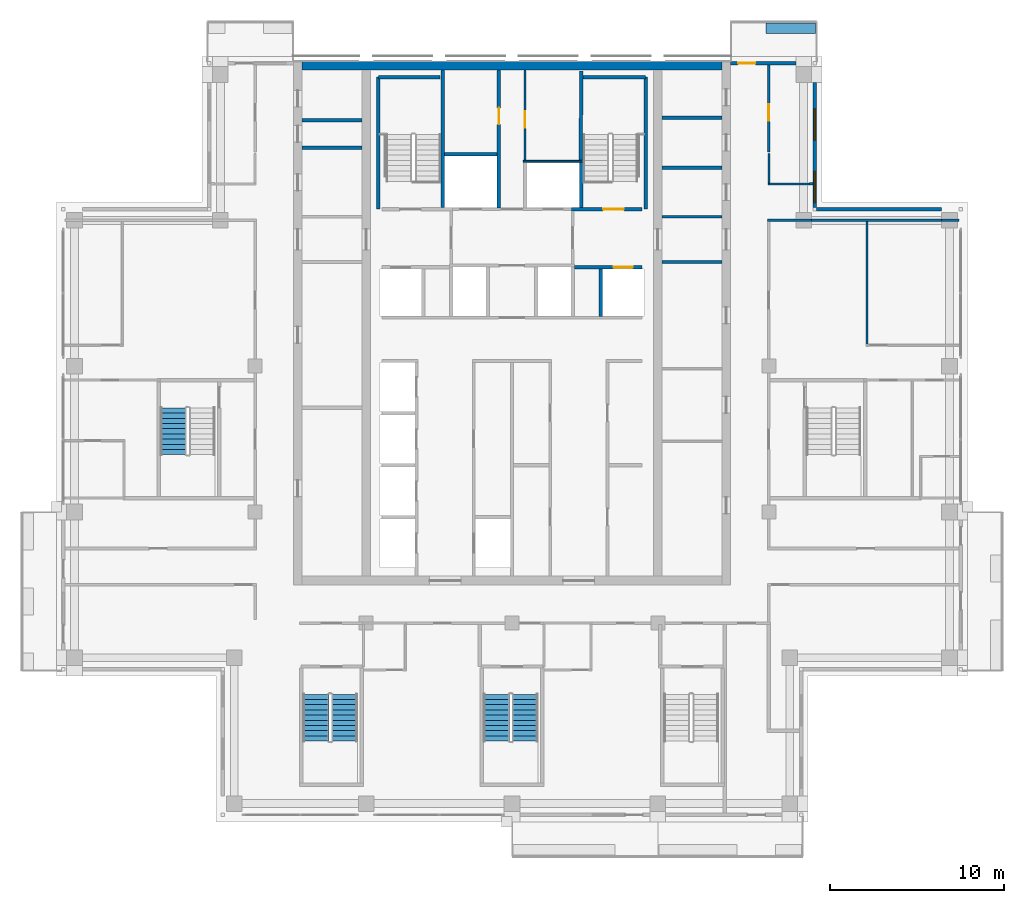
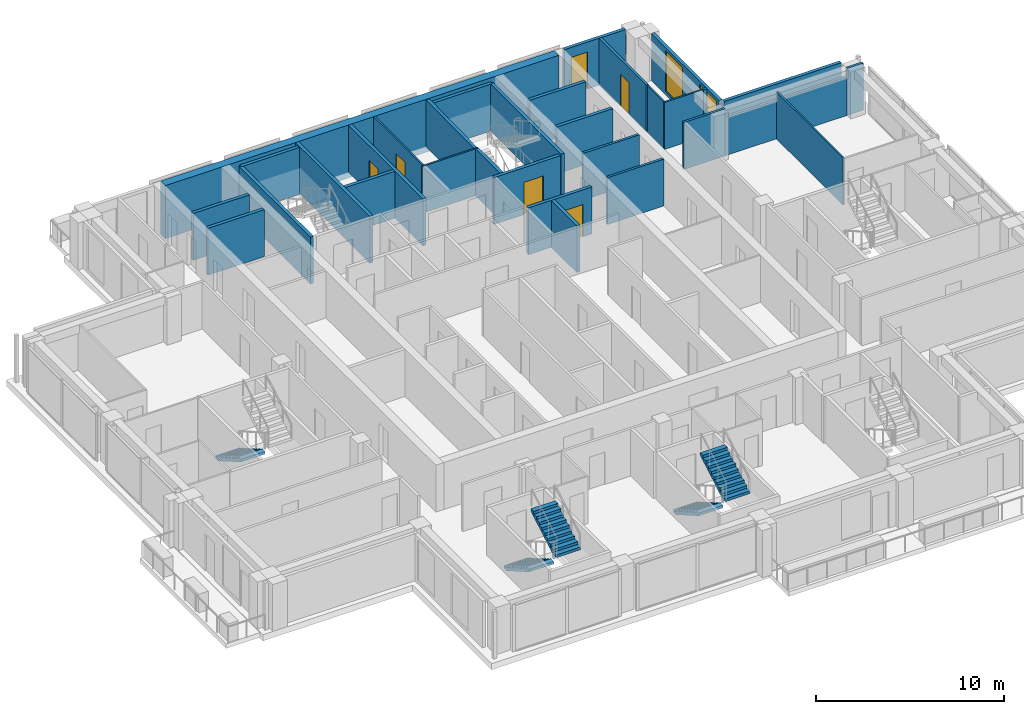
# One storey, part 13 of 17: 33 walls, 6 doors, 5 stair flights, 2 windows, 8 openings, 3 elements without a shape of their own.
"""IFC4 building model written with IfcOpenShell, lengths in metres."""

from ifc_helpers import new_model, si_unit, direction, frame, frame_2d, origin, place, context, subcontext, project, spatial, polyline, rectangle, outline, extrude, material, layer, layer_set, type_object, element, fill, aggregate, save


model = new_model("IFC4")

# Units and contexts
model_context = context("Model", 3, precision=1e-05, world=origin(), true_north=direction((0.0, 1.0)))
body_context = subcontext(model_context, "Body", "Model", "MODEL_VIEW")
ifc_project = project(units=[si_unit("LENGTHUNIT", "METRE"), si_unit("AREAUNIT", "SQUARE_METRE"), si_unit("VOLUMEUNIT", "CUBIC_METRE"), si_unit("PLANEANGLEUNIT", "RADIAN"), si_unit("MASSUNIT", "GRAM", prefix="KILO")], contexts=[model_context])

# Site, building, storey
site_placement = place(None, origin())
site = spatial("IfcSite", under=ifc_project, at=site_placement, CompositionType="ELEMENT")
building_placement = place(site_placement, origin())
building = spatial("IfcBuilding", under=site, at=building_placement, Name="Vermilion Ogive Tower", CompositionType="ELEMENT")
storey_placement = place(building_placement, frame((0.0, 0.0, 257.949951171875)))
storey = spatial("IfcBuildingStorey", under=building, at=storey_placement, Name="L68", CompositionType="ELEMENT", Elevation=257.949951171875)

# Walls
ifc_material_1 = material(Name="Concrete B60", Category="concrete")
ifc_layer_1 = layer(ifc_material_1, 0.5)
ifc_layer_set_1 = layer_set([ifc_layer_1], Name="Core wall 500 B60")
wall_type_1 = type_object("IfcWallType", Name="Core wall 500 B60", PredefinedType="SHEAR", material=ifc_layer_set_1)
wall_1_placement = place(storey_placement, frame((-12.10009765625, 21.5, -0.39990234375), z_axis=(0.0, 0.0, 1.0), x_axis=(1.0, 0.0, 0.0)))
element("IfcWall", 1, at=wall_1_placement, inside=storey, type_object=wall_type_1, Name="L68-CORE-N", PredefinedType="SHEAR", context=body_context, shape_type="SweptSolid", body=[
    extrude(rectangle(XDim=24.2001953125, YDim=0.5, at=frame_2d((12.10009765625, 0.0))), origin(), (0.0, 0.0, 1.0), 3.449951171875),
])
ifc_material_2 = material(Name="Gypsum board partition on steel studs", Category="steel")
ifc_layer_2 = layer(ifc_material_2, 0.10009765625)
ifc_layer_set_2 = layer_set([ifc_layer_2], Name="Partition 100 bath")
wall_type_2 = type_object("IfcWallType", Name="Partition 100 bath", PredefinedType="PARTITIONING", material=ifc_layer_set_2)
wall_2_placement = place(storey_placement, frame((14.75, 14.699951171875, 0.0), z_axis=(0.0, 0.0, 1.0), x_axis=(1.0, 0.0, 0.0)))
element("IfcWall", 2, at=wall_2_placement, inside=storey, type_object=wall_type_2, Name="L68-W-W034", PredefinedType="PARTITIONING", context=body_context, shape_type="SweptSolid", body=[
    extrude(rectangle(XDim=2.5, YDim=0.10009765625, at=frame_2d((1.25, 0.0))), origin(), (0.0, 0.0, 1.0), 3.050048828125),
])
wall_3_placement = place(storey_placement, frame((14.800048828125, 14.75, 0.0), z_axis=(0.0, 0.0, 1.0), x_axis=(0.0, 1.0, 0.0)))
element("IfcWall", 3, at=wall_3_placement, inside=storey, type_object=wall_type_2, Name="L68-W-W060", PredefinedType="PARTITIONING", context=body_context, shape_type="SweptSolid", body=[
    extrude(rectangle(XDim=1.699951171875, YDim=0.10009765625, at=frame_2d((0.85009765625, 0.0))), origin(), (0.0, 0.0, 1.0), 3.050048828125),
])
wall_4_placement = place(storey_placement, frame((0.64990234375, 16.0, 0.0), z_axis=(0.0, 0.0, 1.0), x_axis=(1.0, 0.0, 0.0)))
element("IfcWall", 4, at=wall_4_placement, inside=storey, type_object=wall_type_2, Name="L68-CK-W-W017", PredefinedType="PARTITIONING", context=body_context, shape_type="SweptSolid", body=[
    extrude(rectangle(XDim=3.4501953125, YDim=0.10009765625, at=frame_2d((1.72509765625, 0.0))), origin(), (0.0, 0.0, 1.0), 3.050048828125),
])

# Wall, opening, door
wall_5_placement = place(storey_placement, frame((0.75, 16.050048828125, 0.0), z_axis=(0.0, 0.0, 1.0), x_axis=(0.0, 1.0, 0.0)))
wall_5 = element("IfcWall", 5, at=wall_5_placement, inside=storey, type_object=wall_type_2, Name="L68-CK-W-W029", PredefinedType="PARTITIONING", context=body_context, shape_type="SweptSolid", body=[
    extrude(rectangle(XDim=5.198974609375, YDim=0.10009765625, at=frame_2d((2.599609375, 0.0))), origin(), (0.0, 0.0, 1.0), 3.050048828125),
])
opening_1_placement = place(wall_5_placement, frame((1.875, 0.0, 0.0)))
opening_1 = element("IfcOpeningElement", 6, at=opening_1_placement, cuts=wall_5, Name="Opening DAA644", PredefinedType="OPENING", context=body_context, shape_type="SweptSolid", body=[
    extrude(rectangle(XDim=0.949951171875, YDim=2.10009765625, at=frame_2d((0.47509765625, 1.050048828125))), frame((0.0, 0.06005859375, 0.0), z_axis=(0.0, -1.0, 0.0), x_axis=(1.0, 0.0, 0.0)), (0.0, 0.0, 1.0), 0.1201171875),
])
ifc_material_3 = material(Name="Timber door leaf", Category="wood")
door_type_1 = type_object("IfcDoorType", Name="Service door 950 x 2100 FD60", OperationType="SINGLE_SWING_LEFT", PredefinedType="DOOR", material=ifc_material_3)
door_1_placement = place(opening_1_placement, origin())
door_1 = element("IfcDoor", 7, at=door_1_placement, inside=storey, type_object=door_type_1, Name="L68-CK-D-D021", OperationType="SINGLE_SWING_LEFT", OverallHeight=2.10009765625, OverallWidth=0.949951171875, PredefinedType="DOOR", context=body_context, shape_type="SweptSolid", body=[
    extrude(rectangle(XDim=0.949951171875, YDim=2.10009765625, at=frame_2d((0.47509765625, 1.050048828125))), frame((0.0, 0.02490234375, 0.0), z_axis=(0.0, -1.0, 0.0), x_axis=(1.0, 0.0, 0.0)), (0.0, 0.0, 1.0), 0.050048828125),
])
fill(opening_1, door_1)

# Walls
ifc_material_4 = material(Name="Gypsum board partition on steel studs", Category="steel")
ifc_layer_3 = layer(ifc_material_4, 0.10009765625)
ifc_layer_set_3 = layer_set([ifc_layer_3], Name="Partition 100 inner")
wall_type_3 = type_object("IfcWallType", Name="Partition 100 inner", PredefinedType="PARTITIONING", material=ifc_layer_set_3)
wall_6_placement = place(storey_placement, frame((20.449951171875, 5.449951171875, 0.0), z_axis=(0.0, 0.0, 1.0), x_axis=(0.0, 1.0, 0.0)))
element("IfcWall", 8, at=wall_6_placement, inside=storey, type_object=wall_type_3, Name="L68-W-W065", PredefinedType="PARTITIONING", context=body_context, shape_type="SweptSolid", body=[
    extrude(rectangle(XDim=7.074951171875, YDim=0.10009765625, at=frame_2d((3.53759765625, 0.0))), origin(), (0.0, 0.0, 1.0), 3.050048828125),
])
ifc_material_5 = material(Name="Gypsum board partition on steel studs", Category="steel")
ifc_layer_4 = layer(ifc_material_5, 0.14990234375)
ifc_layer_set_4 = layer_set([ifc_layer_4], Name="Partition 150 corridor")
wall_type_4 = type_object("IfcWallType", Name="Partition 150 corridor", PredefinedType="PARTITIONING", material=ifc_layer_set_4)
wall_7_placement = place(storey_placement, frame((14.72509765625, 12.60009765625, 0.0), z_axis=(0.0, 0.0, 1.0), x_axis=(1.0, 0.0, 0.0)))
element("IfcWall", 9, at=wall_7_placement, inside=storey, type_object=wall_type_4, Name="L68-W-W031", PredefinedType="PARTITIONING", context=body_context, shape_type="SweptSolid", body=[
    extrude(rectangle(XDim=2.52490234375, YDim=0.14990234375, at=frame_2d((1.262451171875, 0.0))), origin(), (0.0, 0.0, 1.0), 3.050048828125),
])
wall_8_placement = place(storey_placement, frame((17.14990234375, 14.699951171875, 0.0), z_axis=(0.0, 0.0, 1.0), x_axis=(1.0, 0.0, 0.0)))
element("IfcWall", 10, at=wall_8_placement, inside=storey, type_object=wall_type_4, Name="L68-W-W035", PredefinedType="PARTITIONING", context=body_context, shape_type="SweptSolid", body=[
    extrude(rectangle(XDim=0.2001953125, YDim=0.14990234375, at=frame_2d((0.10009765625, 0.0))), origin(), (0.0, 0.0, 1.0), 3.050048828125),
])

# Wall, opening, door
wall_9_placement = place(storey_placement, frame((14.800048828125, 16.550048828125, 0.0), z_axis=(0.0, 0.0, 1.0), x_axis=(0.0, 1.0, 0.0)))
wall_9 = element("IfcWall", 11, at=wall_9_placement, inside=storey, type_object=wall_type_4, Name="L68-W-W061", PredefinedType="PARTITIONING", context=body_context, shape_type="SweptSolid", body=[
    extrude(rectangle(XDim=5.0, YDim=0.14990234375, at=frame_2d((2.5, 0.0))), origin(), (0.0, 0.0, 1.0), 3.050048828125),
])
opening_2_placement = place(wall_9_placement, frame((1.800048828125, 0.0, 0.0)))
opening_2 = element("IfcOpeningElement", 12, at=opening_2_placement, cuts=wall_9, Name="Opening D5G5019", PredefinedType="OPENING", context=body_context, shape_type="SweptSolid", body=[
    extrude(rectangle(XDim=0.949951171875, YDim=2.10009765625, at=frame_2d((0.47509765625, 1.050048828125))), frame((0.0, 0.0849609375, 0.0), z_axis=(0.0, -1.0, 0.0), x_axis=(1.0, 0.0, 0.0)), (0.0, 0.0, 1.0), 0.169921875),
])
ifc_material_6 = material(Name="Timber door leaf", Category="wood")
door_type_2 = type_object("IfcDoorType", Name="Unit door 950 x 2100 FD30S", OperationType="SINGLE_SWING_LEFT", PredefinedType="DOOR", material=ifc_material_6)
door_2_placement = place(opening_2_placement, origin())
door_2 = element("IfcDoor", 13, at=door_2_placement, inside=storey, type_object=door_type_2, Name="L68-D-D019", OperationType="SINGLE_SWING_LEFT", OverallHeight=2.10009765625, OverallWidth=0.949951171875, PredefinedType="DOOR", context=body_context, shape_type="SweptSolid", body=[
    extrude(rectangle(XDim=0.949951171875, YDim=2.10009765625, at=frame_2d((0.47509765625, 1.050048828125))), frame((0.0, 0.02490234375, 0.0), z_axis=(0.0, -1.0, 0.0), x_axis=(1.0, 0.0, 0.0)), (0.0, 0.0, 1.0), 0.050048828125),
])
fill(opening_2, door_2)

# Walls
for number, where, z_axis, x_axis, name in (
    (14, (8.65087890625, 10.199951171875, 0.0), (0.0, 0.0, 1.0), (1.0, 0.0, 0.0), "L68-CKE-W-W003"),
    (15, (8.65087890625, 12.800048828125, 0.0), (0.0, 0.0, 1.0), (1.0, 0.0, 0.0), "L68-CKE-W-W004"),
):
    element("IfcWall", number, at=place(storey_placement, frame(where, z_axis=z_axis, x_axis=x_axis)), inside=storey, type_object=wall_type_4, Name=name, PredefinedType="PARTITIONING", context=body_context, shape_type="SweptSolid", body=[
        extrude(rectangle(XDim=3.4482421875, YDim=0.14990234375, at=frame_2d((1.72412109375, 0.0))), origin(), (0.0, 0.0, 1.0), 3.050048828125),
    ])
wall_10_placement = place(storey_placement, frame((17.25, 12.60009765625, 0.0), z_axis=(0.0, 0.0, 1.0), x_axis=(1.0, 0.0, 0.0)))
element("IfcWall", 16, at=wall_10_placement, inside=storey, type_object=wall_type_4, Name="L68-W-W031-h1", PredefinedType="PARTITIONING", context=body_context, shape_type="SweptSolid", body=[
    extrude(rectangle(XDim=7.5, YDim=0.14990234375, at=frame_2d((3.75, 0.0))), origin(), (0.0, 0.0, 1.0), 2.5),
])
wall_11_placement = place(storey_placement, frame((24.75, 12.60009765625, 0.0), z_axis=(0.0, 0.0, 1.0), x_axis=(1.0, 0.0, 0.0)))
element("IfcWall", 17, at=wall_11_placement, inside=storey, type_object=wall_type_4, Name="L68-W-W031-h2", PredefinedType="PARTITIONING", context=body_context, shape_type="SweptSolid", body=[
    extrude(rectangle(XDim=1.0, YDim=0.14990234375, at=frame_2d((0.5, 0.0))), origin(), (0.0, 0.0, 1.0), 3.050048828125),
])

# Wall, opening, door
ifc_material_7 = material(Name="Gypsum board partition on steel studs", Category="steel")
ifc_layer_5 = layer(ifc_material_7, 0.199951171875)
ifc_layer_set_5 = layer_set([ifc_layer_5], Name="Partition 200 party")
wall_type_5 = type_object("IfcWallType", Name="Partition 200 party", PredefinedType="PARTITIONING", material=ifc_layer_set_5)
wall_12_placement = place(storey_placement, frame((3.60009765625, 9.89990234375, 0.0), z_axis=(0.0, 0.0, 1.0), x_axis=(1.0, 0.0, 0.0)))
wall_12 = element("IfcWall", 18, at=wall_12_placement, inside=storey, type_object=wall_type_5, Name="L68-CK-W-W012", PredefinedType="PARTITIONING", context=body_context, shape_type="SweptSolid", body=[
    extrude(rectangle(XDim=3.89990234375, YDim=0.199951171875, at=frame_2d((1.949951171875, 0.0))), origin(), (0.0, 0.0, 1.0), 3.050048828125),
])
opening_3_placement = place(wall_12_placement, frame((2.25, 0.0, 0.0)))
opening_3 = element("IfcOpeningElement", 19, at=opening_3_placement, cuts=wall_12, Name="Opening DAA653", PredefinedType="OPENING", context=body_context, shape_type="SweptSolid", body=[
    extrude(rectangle(XDim=1.10009765625, YDim=2.10009765625, at=frame_2d((0.550048828125, 1.050048828125))), frame((0.0, 0.10986328125, 0.0), z_axis=(0.0, -1.0, 0.0), x_axis=(1.0, 0.0, 0.0)), (0.0, 0.0, 1.0), 0.219970703125),
])
ifc_material_8 = material(Name="Stainless steel", Category="steel")
door_type_3 = type_object("IfcDoorType", Name="Lift landing door 1100 x 2100", OperationType="SLIDING_TO_LEFT", PredefinedType="DOOR", material=ifc_material_8)
door_3_placement = place(opening_3_placement, origin())
door_3 = element("IfcDoor", 20, at=door_3_placement, inside=storey, type_object=door_type_3, Name="L68-CK-D-D014", OperationType="SLIDING_TO_LEFT", OverallHeight=2.10009765625, OverallWidth=1.10009765625, PredefinedType="DOOR", context=body_context, shape_type="SweptSolid", body=[
    extrude(rectangle(XDim=1.10009765625, YDim=2.10009765625, at=frame_2d((0.550048828125, 1.050048828125))), frame((0.0, 0.02490234375, 0.0), z_axis=(0.0, -1.0, 0.0), x_axis=(1.0, 0.0, 0.0)), (0.0, 0.0, 1.0), 0.050048828125),
])
fill(opening_3, door_3)

# Wall
wall_13_placement = place(storey_placement, frame((-3.89990234375, 16.39990234375, 0.0), z_axis=(0.0, 0.0, 1.0), x_axis=(1.0, 0.0, 0.0)))
element("IfcWall", 21, at=wall_13_placement, inside=storey, type_object=wall_type_5, Name="L68-CK-W-W018", PredefinedType="PARTITIONING", context=body_context, shape_type="SweptSolid", body=[
    extrude(rectangle(XDim=3.0498046875, YDim=0.199951171875, at=frame_2d((1.52490234375, 0.0))), origin(), (0.0, 0.0, 1.0), 3.050048828125),
])

# Wall, opening, door
wall_14_placement = place(storey_placement, frame((-0.75, 13.324951171875, 0.0), z_axis=(0.0, 0.0, 1.0), x_axis=(0.0, 1.0, 0.0)))
wall_14 = element("IfcWall", 22, at=wall_14_placement, inside=storey, type_object=wall_type_5, Name="L68-CK-W-W026", PredefinedType="PARTITIONING", context=body_context, shape_type="SweptSolid", body=[
    extrude(rectangle(XDim=7.924072265625, YDim=0.199951171875, at=frame_2d((3.9619140625, 0.0))), origin(), (0.0, 0.0, 1.0), 3.050048828125),
])
opening_4_placement = place(wall_14_placement, frame((4.800048828125, 0.0, 0.0)))
opening_4 = element("IfcOpeningElement", 23, at=opening_4_placement, cuts=wall_14, Name="Opening DAA643", PredefinedType="OPENING", context=body_context, shape_type="SweptSolid", body=[
    extrude(rectangle(XDim=0.949951171875, YDim=2.10009765625, at=frame_2d((0.47509765625, 1.050048828125))), frame((0.0, 0.10986328125, 0.0), z_axis=(0.0, -1.0, 0.0), x_axis=(1.0, 0.0, 0.0)), (0.0, 0.0, 1.0), 0.219970703125),
])
door_4_placement = place(opening_4_placement, origin())
door_4 = element("IfcDoor", 24, at=door_4_placement, inside=storey, type_object=door_type_1, Name="L68-CK-D-D020", OperationType="SINGLE_SWING_RIGHT", OverallHeight=2.10009765625, OverallWidth=0.949951171875, PredefinedType="DOOR", context=body_context, shape_type="SweptSolid", body=[
    extrude(rectangle(XDim=0.949951171875, YDim=2.10009765625, at=frame_2d((0.47509765625, 1.050048828125))), frame((0.0, 0.02490234375, 0.0), z_axis=(0.0, -1.0, 0.0), x_axis=(1.0, 0.0, 0.0)), (0.0, 0.0, 1.0), 0.050048828125),
])
fill(opening_4, door_4)

# Walls
wall_15_placement = place(storey_placement, frame((5.10009765625, 7.074951171875, 0.0), z_axis=(0.0, 0.0, 1.0), x_axis=(0.0, 1.0, 0.0)))
element("IfcWall", 25, at=wall_15_placement, inside=storey, type_object=wall_type_5, Name="L68-CK-W-W036", PredefinedType="PARTITIONING", context=body_context, shape_type="SweptSolid", body=[
    extrude(rectangle(XDim=2.72509765625, YDim=0.199951171875, at=frame_2d((1.362548828125, 0.0))), origin(), (0.0, 0.0, 1.0), 3.050048828125),
])
for number, where, z_axis, x_axis, name in (
    (26, (-12.09912109375, 16.7880859375, 0.0), (0.0, 0.0, 1.0), (1.0, 0.0, 0.0), "L68-CKW-W-W004"),
    (27, (-12.09912109375, 18.373046875, 0.0), (0.0, 0.0, 1.0), (1.0, 0.0, 0.0), "L68-CKW-W-W005"),
    (28, (8.65087890625, 15.636962890625, 0.0), (0.0, 0.0, 1.0), (1.0, 0.0, 0.0), "L68-CKE-W-W005"),
    (29, (8.65087890625, 18.509033203125, 0.0), (0.0, 0.0, 1.0), (1.0, 0.0, 0.0), "L68-CKE-W-W006"),
):
    element("IfcWall", number, at=place(storey_placement, frame(where, z_axis=z_axis, x_axis=x_axis)), inside=storey, type_object=wall_type_5, Name=name, PredefinedType="PARTITIONING", context=body_context, shape_type="SweptSolid", body=[
        extrude(rectangle(XDim=3.4482421875, YDim=0.199951171875, at=frame_2d((1.72412109375, 0.0))), origin(), (0.0, 0.0, 1.0), 3.050048828125),
    ])

# Wall, opening, door
ifc_material_9 = material(Name="Concrete B60", Category="concrete")
ifc_layer_6 = layer(ifc_material_9, 0.199951171875)
ifc_layer_set_6 = layer_set([ifc_layer_6], Name="Stair shaft wall 200 Concrete B60")
wall_type_6 = type_object("IfcWallType", Name="Stair shaft wall 200 Concrete B60", PredefinedType="SOLIDWALL", material=ifc_layer_set_6)
wall_16_placement = place(storey_placement, frame((3.425048828125, 13.25, 0.0), z_axis=(0.0, 0.0, 1.0), x_axis=(1.0, 0.0, 0.0)))
wall_16 = element("IfcWall", 30, at=wall_16_placement, inside=storey, type_object=wall_type_6, Name="L68-CK-W-W016", PredefinedType="SOLIDWALL", context=body_context, shape_type="SweptSolid", body=[
    extrude(rectangle(XDim=4.074951171875, YDim=0.199951171875, at=frame_2d((2.03759765625, 0.0))), origin(), (0.0, 0.0, 1.0), 3.050048828125),
])
opening_5_placement = place(wall_16_placement, frame((1.824951171875, 0.0, 0.0)))
opening_5 = element("IfcOpeningElement", 31, at=opening_5_placement, cuts=wall_16, Name="Opening DAA646", PredefinedType="OPENING", context=body_context, shape_type="SweptSolid", body=[
    extrude(rectangle(XDim=1.199951171875, YDim=2.10009765625, at=frame_2d((0.60009765625, 1.050048828125))), frame((0.0, 0.10986328125, 0.0), z_axis=(0.0, -1.0, 0.0), x_axis=(1.0, 0.0, 0.0)), (0.0, 0.0, 1.0), 0.219970703125),
])
ifc_material_10 = material(Name="Timber door leaf", Category="wood")
door_type_4 = type_object("IfcDoorType", Name="Stair door 1200 x 2100 FD60S", OperationType="SINGLE_SWING_LEFT", PredefinedType="DOOR", material=ifc_material_10)
door_5_placement = place(opening_5_placement, origin())
door_5 = element("IfcDoor", 32, at=door_5_placement, inside=storey, type_object=door_type_4, Name="L68-CK-D-D013", OperationType="SINGLE_SWING_RIGHT", OverallHeight=2.10009765625, OverallWidth=1.199951171875, PredefinedType="DOOR", context=body_context, shape_type="SweptSolid", body=[
    extrude(rectangle(XDim=1.199951171875, YDim=2.10009765625, at=frame_2d((0.60009765625, 1.050048828125))), frame((0.0, 0.02490234375, 0.0), z_axis=(0.0, -1.0, 0.0), x_axis=(1.0, 0.0, 0.0)), (0.0, 0.0, 1.0), 0.050048828125),
])
fill(opening_5, door_5)

# Walls
wall_17_placement = place(storey_placement, frame((-4.0, 13.35009765625, 0.0), z_axis=(0.0, 0.0, 1.0), x_axis=(0.0, 1.0, 0.0)))
element("IfcWall", 33, at=wall_17_placement, inside=storey, type_object=wall_type_6, Name="L68-CK-W-W021", PredefinedType="SOLIDWALL", context=body_context, shape_type="SweptSolid", body=[
    extrude(rectangle(XDim=7.89892578125, YDim=0.199951171875, at=frame_2d((3.949462890625, 0.0))), origin(), (0.0, 0.0, 1.0), 3.050048828125),
])
wall_18_placement = place(storey_placement, frame((4.0, 13.35009765625, 0.0), z_axis=(0.0, 0.0, 1.0), x_axis=(0.0, 1.0, 0.0)))
element("IfcWall", 34, at=wall_18_placement, inside=storey, type_object=wall_type_6, Name="L68-CK-W-W034", PredefinedType="SOLIDWALL", context=body_context, shape_type="SweptSolid", body=[
    extrude(rectangle(XDim=2.599853515625, YDim=0.199951171875, at=frame_2d((1.2998046875, 0.0))), origin(), (0.0, 0.0, 1.0), 3.050048828125),
])
wall_19_placement = place(storey_placement, frame((3.949951171875, 16.050048828125, 0.0), z_axis=(0.0, 0.0, 1.0), x_axis=(0.009719787395, 0.999952761751, 0.0)))
element("IfcWall", 35, at=wall_19_placement, inside=storey, type_object=wall_type_6, Name="L68-CK-W-W035", PredefinedType="SOLIDWALL", context=body_context, shape_type="SweptSolid", body=[
    extrude(rectangle(XDim=5.149169921875, YDim=0.199951171875, at=frame_2d((2.57470703125, 0.0))), origin(), (0.0, 0.0, 1.0), 3.050048828125),
])
wall_20_placement = place(storey_placement, frame((-7.699951171875, 13.25, 0.0), z_axis=(0.0, 0.0, 1.0), x_axis=(0.0, 1.0, 0.0)))
element("IfcWall", 36, at=wall_20_placement, inside=storey, type_object=wall_type_6, Name="L68-SW-R015-W1", PredefinedType="SOLIDWALL", context=body_context, shape_type="SweptSolid", body=[
    extrude(rectangle(XDim=7.60009765625, YDim=0.199951171875, at=frame_2d((3.800048828125, 0.0))), origin(), (0.0, 0.0, 1.0), 3.050048828125),
])
wall_21_placement = place(storey_placement, frame((-7.699951171875, 20.85009765625, 0.0), z_axis=(0.0, 0.0, 1.0), x_axis=(1.0, 0.0, 0.0)))
element("IfcWall", 37, at=wall_21_placement, inside=storey, type_object=wall_type_6, Name="L68-SW-R015-N1", PredefinedType="SOLIDWALL", context=body_context, shape_type="SweptSolid", body=[
    extrude(rectangle(XDim=3.550048828125, YDim=0.199951171875, at=frame_2d((1.77490234375, 0.0))), origin(), (0.0, 0.0, 1.0), 3.050048828125),
])
wall_22_placement = place(storey_placement, frame((7.699951171875, 13.25, 0.0), z_axis=(0.0, 0.0, 1.0), x_axis=(0.0, 1.0, 0.0)))
element("IfcWall", 38, at=wall_22_placement, inside=storey, type_object=wall_type_6, Name="L68-SW-R019-E1", PredefinedType="SOLIDWALL", context=body_context, shape_type="SweptSolid", body=[
    extrude(rectangle(XDim=7.60009765625, YDim=0.199951171875, at=frame_2d((3.800048828125, 0.0))), origin(), (0.0, 0.0, 1.0), 3.050048828125),
])
wall_23_placement = place(storey_placement, frame((4.10009765625, 20.85009765625, 0.0), z_axis=(0.0, 0.0, 1.0), x_axis=(1.0, 0.0, 0.0)))
element("IfcWall", 39, at=wall_23_placement, inside=storey, type_object=wall_type_6, Name="L68-SW-R019-N1", PredefinedType="SOLIDWALL", context=body_context, shape_type="SweptSolid", body=[
    extrude(rectangle(XDim=3.599853515625, YDim=0.199951171875, at=frame_2d((1.7998046875, 0.0))), origin(), (0.0, 0.0, 1.0), 3.050048828125),
])
ifc_material_11 = material(Name="Concrete B40", Category="concrete")
ifc_layer_7 = layer(ifc_material_11, 0.60009765625)
ifc_layer_set_7 = layer_set([ifc_layer_7], Name="Structural planter")
wall_type_7 = type_object("IfcWallType", Name="Structural planter", PredefinedType="USERDEFINED", material=ifc_layer_set_7)
wall_24_placement = place(storey_placement, frame((17.489990234375, 23.660888671875, -0.0400390625), z_axis=(0.0, 0.0, 1.0), x_axis=(-1.0, 0.0, 0.0)))
element("IfcWall", 40, at=wall_24_placement, inside=storey, type_object=wall_type_7, Name="Planter N101A1", ObjectType="PLANTER", PredefinedType="USERDEFINED", context=body_context, shape_type="SweptSolid", body=[
    extrude(rectangle(XDim=2.864990234375, YDim=0.60009765625, at=frame_2d((1.4326171875, 0.0))), origin(), (0.0, 0.0, 1.0), 1.2001953125),
])
ifc_material_12 = material(Name="Aluminium window wall framing", Category="aluminium")
ifc_layer_8 = layer(ifc_material_12, 0.199951171875)
ifc_layer_set_8 = layer_set([ifc_layer_8], Name="Window wall")
wall_type_8 = type_object("IfcWallType", Name="Window wall", PredefinedType="STANDARD", material=ifc_layer_set_8)
wall_25_placement = place(storey_placement, frame((24.75, 13.25, 0.0), z_axis=(0.0, 0.0, 1.0), x_axis=(-1.0, 0.0, 0.0)))
element("IfcWall", 41, at=wall_25_placement, inside=storey, type_object=wall_type_8, Name="Window wall X31", PredefinedType="STANDARD", context=body_context, shape_type="SweptSolid", body=[
    extrude(rectangle(XDim=7.199951171875, YDim=0.199951171875, at=frame_2d((3.60009765625, 0.0))), origin(), (0.0, 0.0, 1.0), 3.050048828125),
])

# Wall, openings, windows
wall_26_placement = place(storey_placement, frame((17.449951171875, 13.35009765625, 0.0), z_axis=(0.0, 0.0, 1.0), x_axis=(0.0, 1.0, 0.0)))
wall_26 = element("IfcWall", 42, at=wall_26_placement, inside=storey, type_object=wall_type_8, Name="Window wall X41", PredefinedType="STANDARD", context=body_context, shape_type="SweptSolid", body=[
    extrude(rectangle(XDim=7.199951171875, YDim=0.199951171875, at=frame_2d((3.60009765625, 0.0))), origin(), (0.0, 0.0, 1.0), 3.050048828125),
])
opening_6_placement = place(wall_26_placement, frame((0.27490234375, 0.0, 0.199951171875)))
opening_6 = element("IfcOpeningElement", 43, at=opening_6_placement, cuts=wall_26, Name="Opening W1-X403", PredefinedType="OPENING", context=body_context, shape_type="SweptSolid", body=[
    extrude(rectangle(XDim=1.800048828125, YDim=2.64990234375, at=frame_2d((0.89990234375, 1.324951171875))), frame((0.0, 0.10986328125, 0.0), z_axis=(0.0, -1.0, 0.0), x_axis=(1.0, 0.0, 0.0)), (0.0, 0.0, 1.0), 0.219970703125),
])
opening_7_placement = place(wall_26_placement, frame((3.875, 0.0, 0.199951171875)))
opening_7 = element("IfcOpeningElement", 44, at=opening_7_placement, cuts=wall_26, Name="Opening W1-X404", PredefinedType="OPENING", context=body_context, shape_type="SweptSolid", body=[
    extrude(rectangle(XDim=1.800048828125, YDim=2.64990234375, at=frame_2d((0.89990234375, 1.324951171875))), frame((0.0, 0.10986328125, 0.0), z_axis=(0.0, -1.0, 0.0), x_axis=(1.0, 0.0, 0.0)), (0.0, 0.0, 1.0), 0.219970703125),
])
ifc_material_13 = material(Name="Aluminium framed double glazing", Category="aluminium")
window_type = type_object("IfcWindowType", Name="Guest window W1", PartitioningType="SINGLE_PANEL", PredefinedType="WINDOW", material=ifc_material_13)
window_1_placement = place(opening_6_placement, origin())
window_1 = element("IfcWindow", 45, at=window_1_placement, inside=storey, type_object=window_type, Name="Window X403", OverallHeight=2.64990234375, OverallWidth=1.800048828125, PartitioningType="SINGLE_PANEL", PredefinedType="WINDOW", context=body_context, shape_type="SweptSolid", body=[
    extrude(rectangle(XDim=1.800048828125, YDim=2.64990234375, at=frame_2d((0.89990234375, 1.324951171875))), frame((0.0, 0.030029296875, 0.0), z_axis=(0.0, -1.0, 0.0), x_axis=(1.0, 0.0, 0.0)), (0.0, 0.0, 1.0), 0.06005859375),
])
fill(opening_6, window_1)
window_2_placement = place(opening_7_placement, origin())
window_2 = element("IfcWindow", 46, at=window_2_placement, inside=storey, type_object=window_type, Name="Window X404", OverallHeight=2.64990234375, OverallWidth=1.800048828125, PartitioningType="SINGLE_PANEL", PredefinedType="WINDOW", context=body_context, shape_type="SweptSolid", body=[
    extrude(rectangle(XDim=1.800048828125, YDim=2.64990234375, at=frame_2d((0.89990234375, 1.324951171875))), frame((0.0, 0.030029296875, 0.0), z_axis=(0.0, -1.0, 0.0), x_axis=(1.0, 0.0, 0.0)), (0.0, 0.0, 1.0), 0.06005859375),
])
fill(opening_7, window_2)

# Wall, opening, door
wall_27_placement = place(storey_placement, frame((16.35009765625, 21.64990234375, 0.0), z_axis=(0.0, 0.0, 1.0), x_axis=(-1.0, 0.0, 0.0)))
wall_27 = element("IfcWall", 47, at=wall_27_placement, inside=storey, type_object=wall_type_8, Name="Window wall N11", PredefinedType="STANDARD", context=body_context, shape_type="SweptSolid", body=[
    extrude(rectangle(XDim=3.75, YDim=0.199951171875, at=frame_2d((1.875, 0.0))), origin(), (0.0, 0.0, 1.0), 3.050048828125),
])
opening_8_placement = place(wall_27_placement, frame((2.324951171875, 0.0, 0.0)))
opening_8 = element("IfcOpeningElement", 48, at=opening_8_placement, cuts=wall_27, Name="Opening D1-N103", PredefinedType="OPENING", context=body_context, shape_type="SweptSolid", body=[
    extrude(rectangle(XDim=1.0, YDim=2.39990234375, at=frame_2d((0.5, 1.199951171875))), frame((0.0, 0.10986328125, 0.0), z_axis=(0.0, -1.0, 0.0), x_axis=(1.0, 0.0, 0.0)), (0.0, 0.0, 1.0), 0.219970703125),
])
ifc_material_14 = material(Name="Aluminium framed glazed door", Category="aluminium")
door_type_5 = type_object("IfcDoorType", Name="Balcony door D1", OperationType="SINGLE_SWING_LEFT", PredefinedType="DOOR", material=ifc_material_14)
door_6_placement = place(opening_8_placement, origin())
door_6 = element("IfcDoor", 49, at=door_6_placement, inside=storey, type_object=door_type_5, Name="Balcony door N103", OperationType="SINGLE_SWING_LEFT", OverallHeight=2.39990234375, OverallWidth=1.0, PredefinedType="DOOR", context=body_context, shape_type="SweptSolid", body=[
    extrude(rectangle(XDim=1.0, YDim=2.39990234375, at=frame_2d((0.5, 1.199951171875))), frame((0.0, 0.02490234375, 0.0), z_axis=(0.0, -1.0, 0.0), x_axis=(1.0, 0.0, 0.0)), (0.0, 0.0, 1.0), 0.050048828125),
])
fill(opening_8, door_6)

# Stair, stair flights
ifc_material_15 = material(Name="Concrete B40", Category="concrete")
stair_type = type_object("IfcStairType", Name="Exit stair 1500", PredefinedType="HALF_TURN_STAIR", material=ifc_material_15)
stair_1_placement = place(storey_placement, origin())
stair_1 = element("IfcStair", 50, at=stair_1_placement, inside=storey, type_object=stair_type, Name="L68 Exit Stair ST3", PredefinedType="HALF_TURN_STAIR")
ifc_material_16 = material(Name="Concrete B40", Category="concrete")
stair_flight_type = type_object("IfcStairFlightType", Name="Stair flight 1500", PredefinedType="STRAIGHT", material=ifc_material_16)
stair_flight_1_placement = place(storey_placement, frame((-11.300048828125, -14.699951171875, 0.0), z_axis=(0.0, 0.0, 1.0), x_axis=(0.0, -1.0, 0.0)))
stair_flight_1 = element("IfcStairFlight", 51, at=stair_flight_1_placement, type_object=stair_flight_type, Name="ST3 flight 1", NumberOfRisers=10, NumberOfTreads=9, PredefinedType="STRAIGHT", RiserHeight=0.1725, TreadLength=0.3, context=body_context, shape_type="SweptSolid", body=[
    extrude(outline(polyline([(0.0, 0.0), (0.0, 0.172607421875), (0.300048828125, 0.172607421875), (0.300048828125, 0.344970703125), (0.60009765625, 0.344970703125), (0.60009765625, 0.517578125), (0.89990234375, 0.517578125), (0.89990234375, 0.68994140625), (1.199951171875, 0.68994140625), (1.199951171875, 0.862548828125), (1.5, 0.862548828125), (1.5, 1.034912109375), (1.800048828125, 1.034912109375), (1.800048828125, 1.20751953125), (2.10009765625, 1.20751953125), (2.10009765625, 1.3798828125), (2.39990234375, 1.3798828125), (2.39990234375, 1.552490234375), (2.699951171875, 1.552490234375), (2.699951171875, 1.72509765625), (2.699951171875, 1.379638671875), (0.30078125, 0.0), (0.0, 0.0)])), frame((0.0, 0.75, 0.0), z_axis=(0.0, -1.0, 0.0), x_axis=(1.0, 0.0, 0.0)), (0.0, 0.0, 1.0), 1.5),
])
stair_flight_2_placement = place(storey_placement, frame((-9.64990234375, -17.39990234375, 1.72509765625), z_axis=(0.0, 0.0, 1.0), x_axis=(0.0, 1.0, 0.0)))
stair_flight_2 = element("IfcStairFlight", 52, at=stair_flight_2_placement, type_object=stair_flight_type, Name="ST3 flight 2", NumberOfRisers=10, NumberOfTreads=9, PredefinedType="STRAIGHT", RiserHeight=0.1725, TreadLength=0.3, context=body_context, shape_type="SweptSolid", body=[
    extrude(outline(polyline([(0.0, 0.0), (0.0, 0.172607421875), (0.300048828125, 0.172607421875), (0.300048828125, 0.344970703125), (0.60009765625, 0.344970703125), (0.60009765625, 0.517578125), (0.89990234375, 0.517578125), (0.89990234375, 0.68994140625), (1.199951171875, 0.68994140625), (1.199951171875, 0.862548828125), (1.5, 0.862548828125), (1.5, 1.034912109375), (1.800048828125, 1.034912109375), (1.800048828125, 1.20751953125), (2.10009765625, 1.20751953125), (2.10009765625, 1.3798828125), (2.39990234375, 1.3798828125), (2.39990234375, 1.552490234375), (2.699951171875, 1.552490234375), (2.699951171875, 1.72509765625), (2.699951171875, 1.379638671875), (0.30078125, 0.0), (0.0, 0.0)])), frame((0.0, 0.75, 0.0), z_axis=(0.0, -1.0, 0.0), x_axis=(1.0, 0.0, 0.0)), (0.0, 0.0, 1.0), 1.5),
])
aggregate(stair_1, [stair_flight_1, stair_flight_2])

stair_2_placement = place(storey_placement, origin())
stair_2 = element("IfcStair", 53, at=stair_2_placement, inside=storey, type_object=stair_type, Name="L68 Exit Stair ST4", PredefinedType="HALF_TURN_STAIR")
stair_flight_3_placement = place(storey_placement, frame((-0.89990234375, -14.699951171875, 0.0), z_axis=(0.0, 0.0, 1.0), x_axis=(0.0, -1.0, 0.0)))
stair_flight_3 = element("IfcStairFlight", 54, at=stair_flight_3_placement, type_object=stair_flight_type, Name="ST4 flight 1", NumberOfRisers=10, NumberOfTreads=9, PredefinedType="STRAIGHT", RiserHeight=0.1725, TreadLength=0.3, context=body_context, shape_type="SweptSolid", body=[
    extrude(outline(polyline([(0.0, 0.0), (0.0, 0.172607421875), (0.300048828125, 0.172607421875), (0.300048828125, 0.344970703125), (0.60009765625, 0.344970703125), (0.60009765625, 0.517578125), (0.89990234375, 0.517578125), (0.89990234375, 0.68994140625), (1.199951171875, 0.68994140625), (1.199951171875, 0.862548828125), (1.5, 0.862548828125), (1.5, 1.034912109375), (1.800048828125, 1.034912109375), (1.800048828125, 1.20751953125), (2.10009765625, 1.20751953125), (2.10009765625, 1.3798828125), (2.39990234375, 1.3798828125), (2.39990234375, 1.552490234375), (2.699951171875, 1.552490234375), (2.699951171875, 1.72509765625), (2.699951171875, 1.379638671875), (0.30078125, 0.0), (0.0, 0.0)])), frame((0.0, 0.75, 0.0), z_axis=(0.0, -1.0, 0.0), x_axis=(1.0, 0.0, 0.0)), (0.0, 0.0, 1.0), 1.5),
])
stair_flight_4_placement = place(storey_placement, frame((0.75, -17.39990234375, 1.72509765625), z_axis=(0.0, 0.0, 1.0), x_axis=(0.0, 1.0, 0.0)))
stair_flight_4 = element("IfcStairFlight", 55, at=stair_flight_4_placement, type_object=stair_flight_type, Name="ST4 flight 2", NumberOfRisers=10, NumberOfTreads=9, PredefinedType="STRAIGHT", RiserHeight=0.1725, TreadLength=0.3, context=body_context, shape_type="SweptSolid", body=[
    extrude(outline(polyline([(0.0, 0.0), (0.0, 0.172607421875), (0.300048828125, 0.172607421875), (0.300048828125, 0.344970703125), (0.60009765625, 0.344970703125), (0.60009765625, 0.517578125), (0.89990234375, 0.517578125), (0.89990234375, 0.68994140625), (1.199951171875, 0.68994140625), (1.199951171875, 0.862548828125), (1.5, 0.862548828125), (1.5, 1.034912109375), (1.800048828125, 1.034912109375), (1.800048828125, 1.20751953125), (2.10009765625, 1.20751953125), (2.10009765625, 1.3798828125), (2.39990234375, 1.3798828125), (2.39990234375, 1.552490234375), (2.699951171875, 1.552490234375), (2.699951171875, 1.72509765625), (2.699951171875, 1.379638671875), (0.30078125, 0.0), (0.0, 0.0)])), frame((0.0, 0.75, 0.0), z_axis=(0.0, -1.0, 0.0), x_axis=(1.0, 0.0, 0.0)), (0.0, 0.0, 1.0), 1.5),
])
aggregate(stair_2, [stair_flight_3, stair_flight_4])

# Stair, stair flight
stair_3_placement = place(storey_placement, origin())
stair_3 = element("IfcStair", 56, at=stair_3_placement, inside=storey, type_object=stair_type, Name="L68 Exit Stair ST9", PredefinedType="HALF_TURN_STAIR")
stair_flight_5_placement = place(storey_placement, frame((-19.5, 1.800048828125, 0.0), z_axis=(0.0, 0.0, 1.0), x_axis=(0.0, -1.0, 0.0)))
stair_flight_5 = element("IfcStairFlight", 57, at=stair_flight_5_placement, type_object=stair_flight_type, Name="ST9 flight 1", NumberOfRisers=10, NumberOfTreads=9, PredefinedType="STRAIGHT", RiserHeight=0.1725, TreadLength=0.3, context=body_context, shape_type="SweptSolid", body=[
    extrude(outline(polyline([(0.0, 0.0), (0.0, 0.172607421875), (0.300048828125, 0.172607421875), (0.300048828125, 0.344970703125), (0.60009765625, 0.344970703125), (0.60009765625, 0.517578125), (0.89990234375, 0.517578125), (0.89990234375, 0.68994140625), (1.199951171875, 0.68994140625), (1.199951171875, 0.862548828125), (1.5, 0.862548828125), (1.5, 1.034912109375), (1.800048828125, 1.034912109375), (1.800048828125, 1.20751953125), (2.10009765625, 1.20751953125), (2.10009765625, 1.3798828125), (2.39990234375, 1.3798828125), (2.39990234375, 1.552490234375), (2.699951171875, 1.552490234375), (2.699951171875, 1.72509765625), (2.699951171875, 1.379638671875), (0.30078125, 0.0), (0.0, 0.0)])), frame((0.0, 0.75, 0.0), z_axis=(0.0, -1.0, 0.0), x_axis=(1.0, 0.0, 0.0)), (0.0, 0.0, 1.0), 1.5),
])
aggregate(stair_3, [stair_flight_5])

save(model, "model.ifc")
